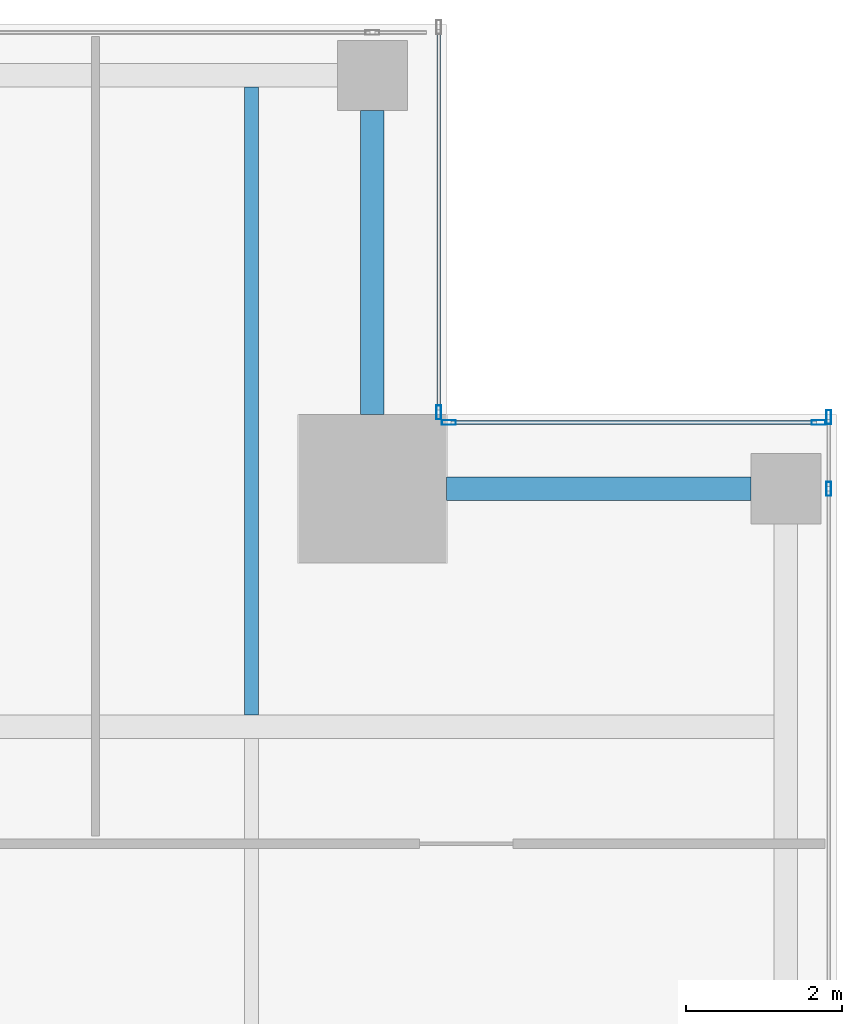
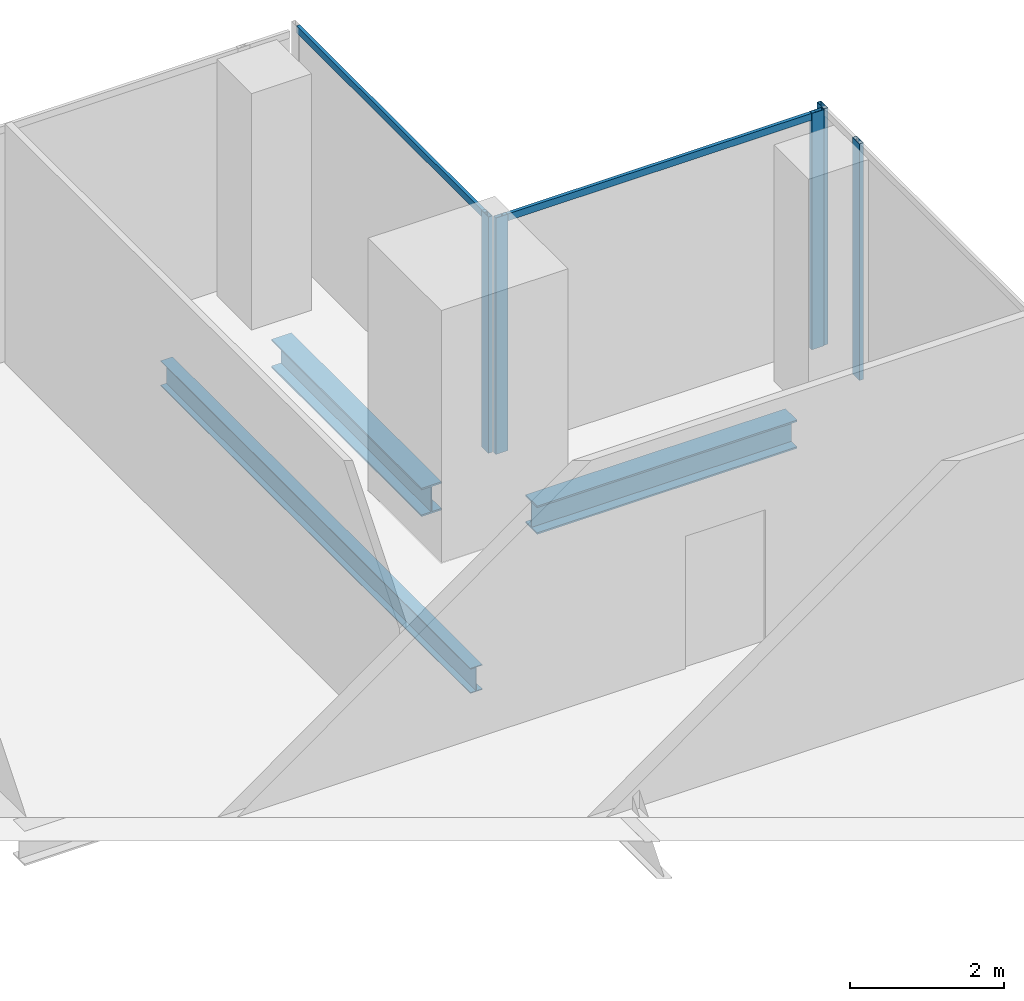
# One storey, part 22 of 35: 7 members, 3 beams, 3 elements without a shape of their own.
"""IFC4 building model written with IfcOpenShell, lengths in metres."""

from ifc_helpers import new_model, si_unit, direction, frame, origin, origin_2d, place, context, subcontext, project, spatial, hollow_rectangle, i_section, extrude, source, transform, mapped, material, material_profile, profile_set, type_object, element, aggregate, save


model = new_model("IFC4")

# Units and contexts
model_context = context("Model", 3, precision=1e-05, world=origin(), true_north=direction((0.0, 1.0)))
body_context = subcontext(model_context, "Body", "Model", "MODEL_VIEW")
ifc_project = project(units=[si_unit("LENGTHUNIT", "METRE"), si_unit("AREAUNIT", "SQUARE_METRE"), si_unit("VOLUMEUNIT", "CUBIC_METRE"), si_unit("PLANEANGLEUNIT", "RADIAN"), si_unit("MASSUNIT", "GRAM", prefix="KILO")], contexts=[model_context])

# Site, building, storey
site_placement = place(None, origin())
site = spatial("IfcSite", under=ifc_project, at=site_placement, CompositionType="ELEMENT")
building_placement = place(site_placement, origin())
building = spatial("IfcBuilding", under=site, at=building_placement, Name="Khomas Fold Tower", CompositionType="ELEMENT")
storey_placement = place(building_placement, frame((0.0, 0.0, 262.199951171875)))
storey = spatial("IfcBuildingStorey", under=building, at=storey_placement, Name="L59", CompositionType="ELEMENT", Elevation=262.199951171875)

# Beams
ifc_material_1 = material(Name="Steel S355", Category="steel")
ifc_material_profile_1 = material_profile(ifc_material_1, i_section(OverallWidth=0.300048828125, OverallDepth=0.449951171875, WebThickness=0.013916015625, FlangeThickness=0.02587890625, at=origin_2d()), Name="HE 450 B")
ifc_profile_set_1 = profile_set([ifc_material_profile_1], Name="Steel S355")
beam_type_1 = type_object("IfcBeamType", Name="HE 450 B spandrel SB4", PredefinedType="SPANDREL", material=ifc_profile_set_1)
shared_shape_1 = source(origin(), body_context, "Body", "SweptSolid", [
    extrude(i_section(OverallWidth=0.300048828125, OverallDepth=0.449951171875, WebThickness=0.013916015625, FlangeThickness=0.02587890625, at=origin_2d()), origin(), (0.0, 0.0, 1.0), 3.89990234375),
])
for number, where, z_axis, x_axis, name in (
    (1, (44.5, 43.550048828125, -0.474853515625), (1.0, 0.0, 0.0), (0.0, 1.0, 0.0), "SB4"),
    (2, (43.550048828125, 44.5, -0.474853515625), (0.0, 1.0, 0.0), (-1.0, 0.0, 0.0), "SB4"),
):
    element("IfcBeam", number, at=place(storey_placement, frame(where, z_axis=z_axis, x_axis=x_axis)), inside=storey, type_object=beam_type_1, Name=name, PredefinedType="SPANDREL", context=body_context, shape_type="MappedRepresentation", body=[
        mapped(shared_shape_1, transform((0.0, 0.0, 0.0))),
    ])
ifc_material_2 = material(Name="Steel S355", Category="steel")
ifc_material_profile_2 = material_profile(ifc_material_2, i_section(OverallWidth=0.179931640625, OverallDepth=0.39990234375, WebThickness=0.008544921875, FlangeThickness=0.013427734375, at=origin_2d()), Name="IPE 400")
ifc_profile_set_2 = profile_set([ifc_material_profile_2], Name="Steel S355")
beam_type_2 = type_object("IfcBeamType", Name="IPE 400 beam JB3", PredefinedType="BEAM", material=ifc_profile_set_2)
shared_shape_2 = source(origin(), body_context, "Body", "SweptSolid", [
    extrude(i_section(OverallWidth=0.179931640625, OverallDepth=0.39990234375, WebThickness=0.008544921875, FlangeThickness=0.013427734375, at=origin_2d()), origin(), (0.0, 0.0, 1.0), 8.050048828125),
])
beam_placement = place(storey_placement, frame((42.0, 40.64990234375, -0.449951171875), z_axis=(0.0, 1.0, 0.0), x_axis=(-1.0, 0.0, 0.0)))
element("IfcBeam", 3, at=beam_placement, inside=storey, type_object=beam_type_2, Name="JB3", PredefinedType="BEAM", context=body_context, shape_type="MappedRepresentation", body=[
    mapped(shared_shape_2, transform((0.0, 0.0, 0.0))),
])

# Curtain wall, members
ifc_material_3 = material(Name="Aluminium framed double glazing", Category="aluminium")
curtain_wall_type = type_object("IfcCurtainWallType", Name="SK-Unitised clear-glass wall, office floors CW2", PredefinedType="NOTDEFINED", material=ifc_material_3)
curtain_wall_1_placement = place(storey_placement, origin())
curtain_wall_1 = element("IfcCurtainWall", 4, at=curtain_wall_1_placement, inside=storey, type_object=curtain_wall_type, Name="CW2 run L59 03-1", PredefinedType="NOTDEFINED")
ifc_material_4 = material(Name="Aluminium", Category="aluminium")
ifc_material_profile_3 = material_profile(ifc_material_4, hollow_rectangle(XDim=0.06005859375, YDim=0.179931640625, WallThickness=0.00390625, at=origin_2d()), Name="SK-Unitised clear-glass wall, office floors mullion CW2-M")
ifc_profile_set_3 = profile_set([ifc_material_profile_3], Name="Aluminium")
member_type_1 = type_object("IfcMemberType", Name="SK-Unitised clear-glass wall, office floors mullion CW2-M", PredefinedType="MULLION", material=ifc_profile_set_3)
shared_shape_3 = source(origin(), body_context, "Body", "SweptSolid", [
    extrude(hollow_rectangle(XDim=0.06005859375, YDim=0.179931640625, WallThickness=0.00390625, at=origin_2d()), origin(), (0.0, 0.0, 1.0), 3.75),
])
member_1_placement = place(storey_placement, frame((49.39990234375, 43.550048828125, 0.0), z_axis=(0.0, 0.0, 1.0), x_axis=(-1.0, 0.0, 0.0)))
member_1 = element("IfcMember", 5, at=member_1_placement, type_object=member_type_1, Name="CW2 mullion 4", PredefinedType="MULLION", context=body_context, shape_type="MappedRepresentation", body=[
    mapped(shared_shape_3, transform((0.0, 0.0, 0.0))),
])
member_2_placement = place(storey_placement, frame((49.39990234375, 44.469970703125, 0.0), z_axis=(0.0, 0.0, 1.0), x_axis=(-1.0, 0.0, 0.0)))
member_2 = element("IfcMember", 6, at=member_2_placement, type_object=member_type_1, Name="CW2 mullion 5", PredefinedType="MULLION", context=body_context, shape_type="MappedRepresentation", body=[
    mapped(shared_shape_3, transform((0.0, 0.0, 0.0))),
])
aggregate(curtain_wall_1, [member_1, member_2])

curtain_wall_2_placement = place(storey_placement, origin())
curtain_wall_2 = element("IfcCurtainWall", 7, at=curtain_wall_2_placement, inside=storey, type_object=curtain_wall_type, Name="CW2 corner return L59 04", PredefinedType="NOTDEFINED")
member_3_placement = place(storey_placement, frame((49.27001953125, 44.39990234375, 0.0), z_axis=(0.0, 0.0, 1.0), x_axis=(0.0, -1.0, 0.0)))
member_3 = element("IfcMember", 8, at=member_3_placement, type_object=member_type_1, Name="CW2 mullion 1", PredefinedType="MULLION", context=body_context, shape_type="MappedRepresentation", body=[
    mapped(shared_shape_3, transform((0.0, 0.0, 0.0))),
])
member_4_placement = place(storey_placement, frame((44.530029296875, 44.39990234375, 0.0), z_axis=(0.0, 0.0, 1.0), x_axis=(0.0, -1.0, 0.0)))
member_4 = element("IfcMember", 9, at=member_4_placement, type_object=member_type_1, Name="CW2 mullion 2", PredefinedType="MULLION", context=body_context, shape_type="MappedRepresentation", body=[
    mapped(shared_shape_3, transform((0.0, 0.0, 0.0))),
])

# Curtain wall, member
curtain_wall_3_placement = place(storey_placement, origin())
curtain_wall_3 = element("IfcCurtainWall", 10, at=curtain_wall_3_placement, inside=storey, type_object=curtain_wall_type, Name="CW2 corner return L59 05", PredefinedType="NOTDEFINED")
member_5_placement = place(storey_placement, frame((44.39990234375, 44.530029296875, 0.0), z_axis=(0.0, 0.0, 1.0), x_axis=(-1.0, 0.0, 0.0)))
member_5 = element("IfcMember", 11, at=member_5_placement, type_object=member_type_1, Name="CW2 mullion 1", PredefinedType="MULLION", context=body_context, shape_type="MappedRepresentation", body=[
    mapped(shared_shape_3, transform((0.0, 0.0, 0.0))),
])

# Member
ifc_material_5 = material(Name="Aluminium", Category="aluminium")
ifc_material_profile_4 = material_profile(ifc_material_5, hollow_rectangle(XDim=0.050048828125, YDim=0.110107421875, WallThickness=0.00390625, at=origin_2d()), Name="SK-Unitised clear-glass wall, office floors transom CW2-T")
ifc_profile_set_4 = profile_set([ifc_material_profile_4], Name="Aluminium")
member_type_2 = type_object("IfcMemberType", Name="SK-Unitised clear-glass wall, office floors transom CW2-T", PredefinedType="USERDEFINED", material=ifc_profile_set_4)
shared_shape_4 = source(origin(), body_context, "Body", "SweptSolid", [
    extrude(hollow_rectangle(XDim=0.050048828125, YDim=0.110107421875, WallThickness=0.00390625, at=origin_2d()), origin(), (0.0, 0.0, 1.0), 4.679931640625),
])
member_6_placement = place(storey_placement, frame((49.239990234375, 44.39990234375, 3.695068359375), z_axis=(-1.0, 0.0, 0.0), x_axis=(0.0, -1.0, 0.0)))
member_6 = element("IfcMember", 12, at=member_6_placement, type_object=member_type_2, Name="CW2 transom 1", ObjectType="TRANSOM", PredefinedType="USERDEFINED", context=body_context, shape_type="MappedRepresentation", body=[
    mapped(shared_shape_4, transform((0.0, 0.0, 0.0))),
])

aggregate(curtain_wall_2, [member_3, member_4, member_6])

shared_shape_5 = source(origin(), body_context, "Body", "SweptSolid", [
    extrude(hollow_rectangle(XDim=0.050048828125, YDim=0.110107421875, WallThickness=0.00390625, at=origin_2d()), origin(), (0.0, 0.0, 1.0), 4.8798828125),
])
member_7_placement = place(storey_placement, frame((44.39990234375, 44.56005859375, 3.695068359375), z_axis=(0.0, 1.0, 0.0), x_axis=(-1.0, 0.0, 0.0)))
member_7 = element("IfcMember", 13, at=member_7_placement, type_object=member_type_2, Name="CW2 transom 1", ObjectType="TRANSOM", PredefinedType="USERDEFINED", context=body_context, shape_type="MappedRepresentation", body=[
    mapped(shared_shape_5, transform((0.0, 0.0, 0.0))),
])

aggregate(curtain_wall_3, [member_5, member_7])

save(model, "model.ifc")
